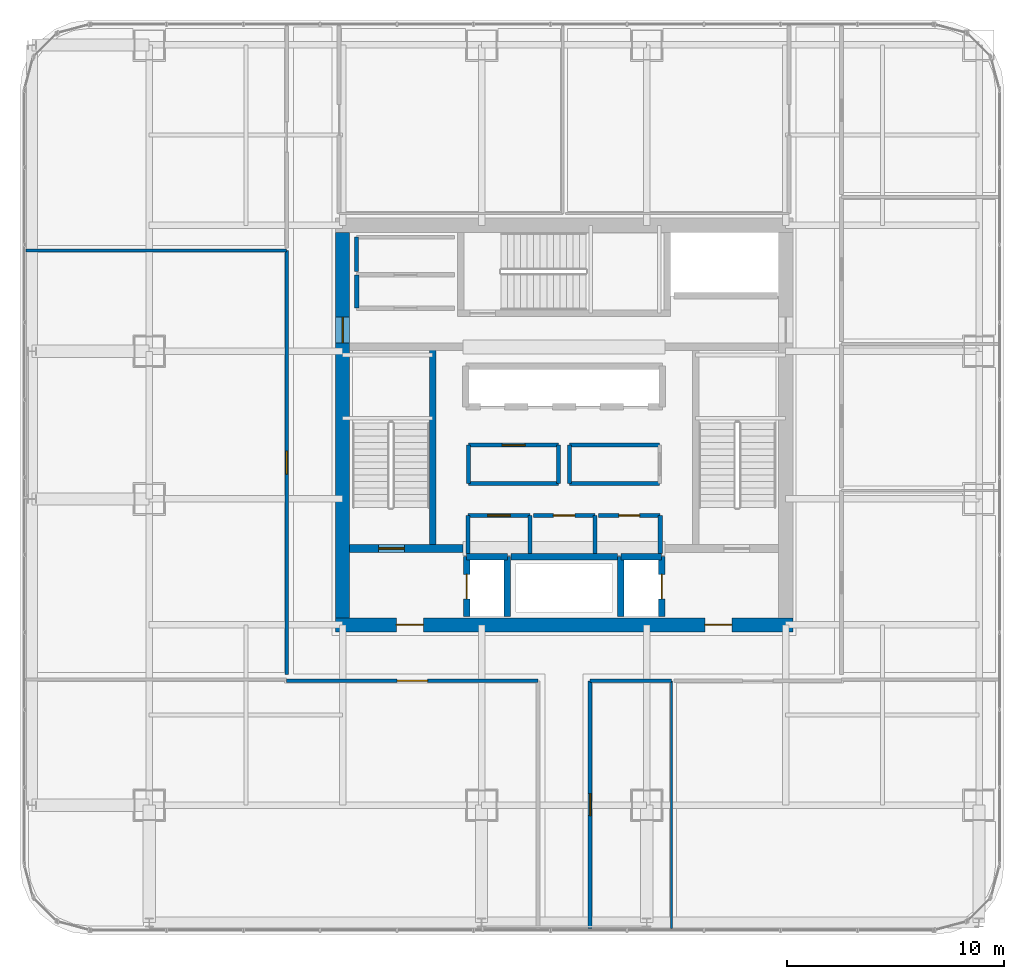
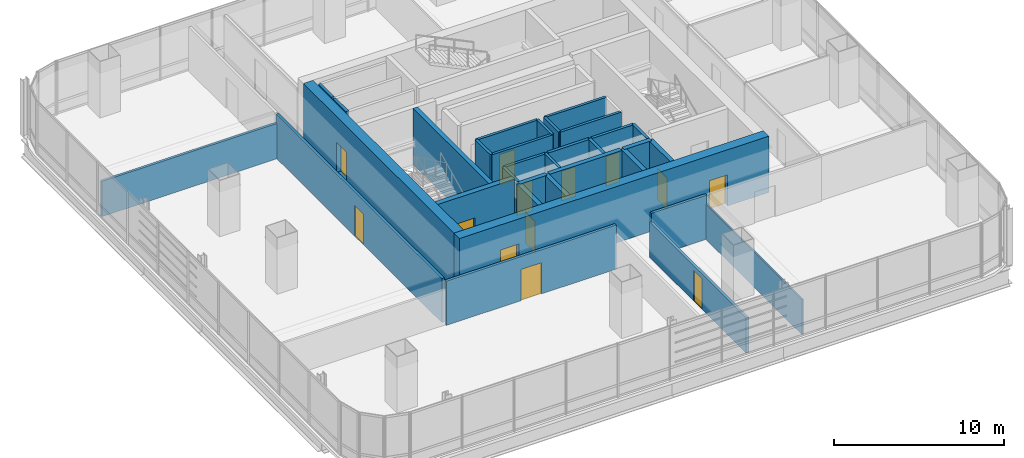
# One storey, part 29 of 37: 33 walls, 13 doors, 13 openings.
"""IFC4 building model written with IfcOpenShell, lengths in metres."""

from ifc_helpers import new_model, si_unit, direction, frame, frame_2d, origin, place, context, subcontext, project, spatial, rectangle, extrude, material, layer, layer_set, type_object, element, fill, save


model = new_model("IFC4")

# Units and contexts
model_context = context("Model", 3, precision=1e-05, world=origin(), true_north=direction((0.0, 1.0)))
body_context = subcontext(model_context, "Body", "Model", "MODEL_VIEW")
ifc_project = project(units=[si_unit("LENGTHUNIT", "METRE"), si_unit("AREAUNIT", "SQUARE_METRE"), si_unit("VOLUMEUNIT", "CUBIC_METRE"), si_unit("PLANEANGLEUNIT", "RADIAN"), si_unit("MASSUNIT", "GRAM", prefix="KILO")], contexts=[model_context])

# Site, building, storey
site_placement = place(None, origin())
site = spatial("IfcSite", under=ifc_project, at=site_placement, CompositionType="ELEMENT")
building_placement = place(site_placement, origin())
building = spatial("IfcBuilding", under=site, at=building_placement, Name="Punatoya Terracotta Tower", CompositionType="ELEMENT")
storey_placement = place(building_placement, frame((0.0, 0.0, 192.449951171875)))
storey = spatial("IfcBuildingStorey", under=building, at=storey_placement, Name="L45", CompositionType="ELEMENT", Elevation=192.449951171875)

# Wall, openings, doors
ifc_material_1 = material(Name="Concrete C60/75", Category="concrete")
ifc_layer_1 = layer(ifc_material_1, 0.64990234375)
ifc_layer_set_1 = layer_set([ifc_layer_1], Name="Concrete C60/75")
wall_type_1 = type_object("IfcWallType", Name="WL-COR-650", PredefinedType="SHEAR", material=ifc_layer_set_1)
wall_1_placement = place(storey_placement, frame((10.52490234375, -9.199951171875, 0.0), z_axis=(0.0, 0.0, 1.0), x_axis=(-1.0, 0.0, 0.0)))
wall_1 = element("IfcWall", 1, at=wall_1_placement, inside=storey, type_object=wall_type_1, Name="L45 Core Shear Wall S", PredefinedType="SHEAR", context=body_context, shape_type="SweptSolid", body=[
    extrude(rectangle(XDim=21.0498046875, YDim=0.64990234375, at=frame_2d((10.52490234375, 0.0))), origin(), (0.0, 0.0, 1.0), 4.050048828125),
])
opening_1_placement = place(wall_1_placement, frame((2.800048828125, 0.0, 0.0)))
opening_1 = element("IfcOpeningElement", 2, at=opening_1_placement, cuts=wall_1, Name="Opening FD-L1", PredefinedType="OPENING", context=body_context, shape_type="SweptSolid", body=[
    extrude(rectangle(XDim=1.25, YDim=2.25, at=frame_2d((0.625, 1.125))), frame((0.0, 0.3349609375, 0.0), z_axis=(0.0, -1.0, 0.0), x_axis=(1.0, 0.0, 0.0)), (0.0, 0.0, 1.0), 0.669921875),
])
opening_2_placement = place(wall_1_placement, frame((17.0, 0.0, 0.0)))
opening_2 = element("IfcOpeningElement", 3, at=opening_2_placement, cuts=wall_1, Name="Opening FD-L1", PredefinedType="OPENING", context=body_context, shape_type="SweptSolid", body=[
    extrude(rectangle(XDim=1.25, YDim=2.25, at=frame_2d((0.625, 1.125))), frame((0.0, 0.3349609375, 0.0), z_axis=(0.0, -1.0, 0.0), x_axis=(1.0, 0.0, 0.0)), (0.0, 0.0, 1.0), 0.669921875),
])
ifc_material_2 = material(Name="Galvanised Steel Smokeproof Fire Door", Category="steel")
door_type_1 = type_object("IfcDoorType", Name="DR-FFL-1250", OperationType="NOTDEFINED", PredefinedType="DOOR", material=ifc_material_2)
door_1_placement = place(opening_1_placement, origin())
door_1 = element("IfcDoor", 4, at=door_1_placement, inside=storey, type_object=door_type_1, Name="L45 East Firefighting Lobby Corridor Fire Door", OperationType="SINGLE_SWING_LEFT", OverallHeight=2.25, OverallWidth=1.25, PredefinedType="DOOR", context=body_context, shape_type="SweptSolid", body=[
    extrude(rectangle(XDim=1.25, YDim=2.25, at=frame_2d((0.625, 1.125))), frame((0.0, 0.02490234375, 0.0), z_axis=(0.0, -1.0, 0.0), x_axis=(1.0, 0.0, 0.0)), (0.0, 0.0, 1.0), 0.050048828125),
])
fill(opening_1, door_1)
door_2_placement = place(opening_2_placement, origin())
door_2 = element("IfcDoor", 5, at=door_2_placement, inside=storey, type_object=door_type_1, Name="L45 West Firefighting Lobby Corridor Fire Door", OperationType="SINGLE_SWING_RIGHT", OverallHeight=2.25, OverallWidth=1.25, PredefinedType="DOOR", context=body_context, shape_type="SweptSolid", body=[
    extrude(rectangle(XDim=1.25, YDim=2.25, at=frame_2d((0.625, 1.125))), frame((0.0, 0.02490234375, 0.0), z_axis=(0.0, -1.0, 0.0), x_axis=(1.0, 0.0, 0.0)), (0.0, 0.0, 1.0), 0.050048828125),
])
fill(opening_2, door_2)

# Wall, opening, door
wall_2_placement = place(storey_placement, frame((-10.199951171875, -8.875, 0.0), z_axis=(0.0, 0.0, 1.0), x_axis=(0.0, 1.0, 0.0)))
wall_2 = element("IfcWall", 6, at=wall_2_placement, inside=storey, type_object=wall_type_1, Name="L45 Core Shear Wall W", PredefinedType="SHEAR", context=body_context, shape_type="SweptSolid", body=[
    extrude(rectangle(XDim=17.75, YDim=0.64990234375, at=frame_2d((8.875, 0.0))), origin(), (0.0, 0.0, 1.0), 4.050048828125),
])
opening_3_placement = place(wall_2_placement, frame((12.6650390625, 0.0, 0.0)))
opening_3 = element("IfcOpeningElement", 7, at=opening_3_placement, cuts=wall_2, Name="Opening SD-01", PredefinedType="OPENING", context=body_context, shape_type="SweptSolid", body=[
    extrude(rectangle(XDim=1.179931640625, YDim=2.199951171875, at=frame_2d((0.58984375, 1.10009765625))), frame((0.0, 0.3349609375, 0.0), z_axis=(0.0, -1.0, 0.0), x_axis=(1.0, 0.0, 0.0)), (0.0, 0.0, 1.0), 0.669921875),
])
ifc_material_3 = material(Name="Galvanised Steel Pressurized Stair Fire Door", Category="steel")
door_type_2 = type_object("IfcDoorType", Name="DR-STR-1180", OperationType="NOTDEFINED", PredefinedType="DOOR", material=ifc_material_3)
door_3_placement = place(opening_3_placement, origin())
door_3 = element("IfcDoor", 8, at=door_3_placement, inside=storey, type_object=door_type_2, Name="L45 Central Lift Lobby West Fire Door", OperationType="SINGLE_SWING_LEFT", OverallHeight=2.199951171875, OverallWidth=1.179931640625, PredefinedType="DOOR", context=body_context, shape_type="SweptSolid", body=[
    extrude(rectangle(XDim=1.179931640625, YDim=2.199951171875, at=frame_2d((0.58984375, 1.10009765625))), frame((0.0, 0.02490234375, 0.0), z_axis=(0.0, -1.0, 0.0), x_axis=(1.0, 0.0, 0.0)), (0.0, 0.0, 1.0), 0.050048828125),
])
fill(opening_3, door_3)

# Wall
ifc_material_4 = material(Name="Gypsum Fireboard + Steel Stud", Category="steel")
ifc_layer_2 = layer(ifc_material_4, 0.179931640625)
ifc_layer_set_2 = layer_set([ifc_layer_2], Name="Gypsum Fireboard + Steel Stud")
wall_type_2 = type_object("IfcWallType", Name="WL-CORR-180", PredefinedType="PARTITIONING", material=ifc_layer_set_2)
wall_3_placement = place(storey_placement, frame((-1.580078125, -5.89990234375, 0.0), z_axis=(0.0, 0.0, 1.0), x_axis=(0.0, 1.0, 0.0)))
element("IfcWall", 9, at=wall_3_placement, inside=storey, type_object=wall_type_2, Name="L45 Core Quiet Wellness Room Partition 01", PredefinedType="PARTITIONING", context=body_context, shape_type="SweptSolid", body=[
    extrude(rectangle(XDim=1.739990234375, YDim=0.179931640625, at=frame_2d((0.8701171875, 0.0))), origin(), (0.0, 0.0, 1.0), 3.830078125),
])

# Wall, opening, door
wall_4_placement = place(storey_placement, frame((-1.580078125, -4.159912109375, 0.0), z_axis=(0.0, 0.0, 1.0), x_axis=(-1.0, 0.0, 0.0)))
wall_4 = element("IfcWall", 10, at=wall_4_placement, inside=storey, type_object=wall_type_2, Name="L45 Core Quiet Wellness Room Partition 02", PredefinedType="PARTITIONING", context=body_context, shape_type="SweptSolid", body=[
    extrude(rectangle(XDim=2.83984375, YDim=0.179931640625, at=frame_2d((1.419921875, 0.0))), origin(), (0.0, 0.0, 1.0), 3.830078125),
])
opening_4_placement = place(wall_4_placement, frame((0.89501953125, 0.0, 0.0)))
opening_4 = element("IfcOpeningElement", 11, at=opening_4_placement, cuts=wall_4, Name="Opening OD-01", PredefinedType="OPENING", context=body_context, shape_type="SweptSolid", body=[
    extrude(rectangle(XDim=1.050048828125, YDim=2.199951171875, at=frame_2d((0.52490234375, 1.10009765625))), frame((0.0, 0.099853515625, 0.0), z_axis=(0.0, -1.0, 0.0), x_axis=(1.0, 0.0, 0.0)), (0.0, 0.0, 1.0), 0.199951171875),
])
ifc_material_5 = material(Name="Bengal Teak Solid-Core Leaf")
door_type_3 = type_object("IfcDoorType", Name="DR-OFF-1050", OperationType="NOTDEFINED", PredefinedType="DOOR", material=ifc_material_5)
door_4_placement = place(opening_4_placement, origin())
door_4 = element("IfcDoor", 12, at=door_4_placement, inside=storey, type_object=door_type_3, Name="L45 Quiet Wellness Room Door", OperationType="SINGLE_SWING_LEFT", OverallHeight=2.199951171875, OverallWidth=1.050048828125, PredefinedType="DOOR", context=body_context, shape_type="SweptSolid", body=[
    extrude(rectangle(XDim=1.050048828125, YDim=2.199951171875, at=frame_2d((0.52490234375, 1.10009765625))), frame((0.0, 0.02490234375, 0.0), z_axis=(0.0, -1.0, 0.0), x_axis=(1.0, 0.0, 0.0)), (0.0, 0.0, 1.0), 0.050048828125),
])
fill(opening_4, door_4)

# Walls
wall_5_placement = place(storey_placement, frame((-4.419921875, -4.159912109375, 0.0), z_axis=(0.0, 0.0, 1.0), x_axis=(0.0, -1.0, 0.0)))
element("IfcWall", 13, at=wall_5_placement, inside=storey, type_object=wall_type_2, Name="L45 Core Quiet Wellness Room Partition 03", PredefinedType="PARTITIONING", context=body_context, shape_type="SweptSolid", body=[
    extrude(rectangle(XDim=1.739990234375, YDim=0.179931640625, at=frame_2d((0.8701171875, 0.0))), origin(), (0.0, 0.0, 1.0), 3.830078125),
])
wall_6_placement = place(storey_placement, frame((-0.25, -2.679931640625, 0.0), z_axis=(0.0, 0.0, 1.0), x_axis=(0.0, 1.0, 0.0)))
element("IfcWall", 14, at=wall_6_placement, inside=storey, type_object=wall_type_2, Name="L45 West Core Focus Pod Partition 08", PredefinedType="PARTITIONING", context=body_context, shape_type="SweptSolid", body=[
    extrude(rectangle(XDim=1.760009765625, YDim=0.179931640625, at=frame_2d((0.8798828125, 0.0))), origin(), (0.0, 0.0, 1.0), 3.830078125),
])

# Wall, opening, door
wall_7_placement = place(storey_placement, frame((-0.25, -0.919921875, 0.0), z_axis=(0.0, 0.0, 1.0), x_axis=(-1.0, 0.0, 0.0)))
wall_7 = element("IfcWall", 15, at=wall_7_placement, inside=storey, type_object=wall_type_2, Name="L45 West Core Focus Pod Partition 09", PredefinedType="PARTITIONING", context=body_context, shape_type="SweptSolid", body=[
    extrude(rectangle(XDim=4.14990234375, YDim=0.179931640625, at=frame_2d((2.074951171875, 0.0))), origin(), (0.0, 0.0, 1.0), 3.830078125),
])
opening_5_placement = place(wall_7_placement, frame((1.550048828125, 0.0, 0.0)))
opening_5 = element("IfcOpeningElement", 16, at=opening_5_placement, cuts=wall_7, Name="Opening OD-01", PredefinedType="OPENING", context=body_context, shape_type="SweptSolid", body=[
    extrude(rectangle(XDim=1.050048828125, YDim=2.199951171875, at=frame_2d((0.52490234375, 1.10009765625))), frame((0.0, 0.099853515625, 0.0), z_axis=(0.0, -1.0, 0.0), x_axis=(1.0, 0.0, 0.0)), (0.0, 0.0, 1.0), 0.199951171875),
])
door_5_placement = place(opening_5_placement, origin())
door_5 = element("IfcDoor", 17, at=door_5_placement, inside=storey, type_object=door_type_3, Name="L45 West Focus Pod Door", OperationType="SINGLE_SWING_RIGHT", OverallHeight=2.199951171875, OverallWidth=1.050048828125, PredefinedType="DOOR", context=body_context, shape_type="SweptSolid", body=[
    extrude(rectangle(XDim=1.050048828125, YDim=2.199951171875, at=frame_2d((0.52490234375, 1.10009765625))), frame((0.0, 0.02490234375, 0.0), z_axis=(0.0, -1.0, 0.0), x_axis=(1.0, 0.0, 0.0)), (0.0, 0.0, 1.0), 0.050048828125),
])
fill(opening_5, door_5)

# Walls
wall_8_placement = place(storey_placement, frame((-4.39990234375, -0.919921875, 0.0), z_axis=(0.0, 0.0, 1.0), x_axis=(0.0, -1.0, 0.0)))
element("IfcWall", 18, at=wall_8_placement, inside=storey, type_object=wall_type_2, Name="L45 West Core Focus Pod Partition 10", PredefinedType="PARTITIONING", context=body_context, shape_type="SweptSolid", body=[
    extrude(rectangle(XDim=1.760009765625, YDim=0.179931640625, at=frame_2d((0.8798828125, 0.0))), origin(), (0.0, 0.0, 1.0), 3.830078125),
])
for number, where, z_axis, x_axis, name in (
    (19, (-4.39990234375, -2.679931640625, 0.0), (0.0, 0.0, 1.0), (1.0, 0.0, 0.0), "L45 West Core Focus Pod Partition 11"),
    (20, (4.39990234375, -0.919921875, 0.0), (0.0, 0.0, 1.0), (-1.0, 0.0, 0.0), "L45 East Core Wellness Room Partition 13"),
):
    element("IfcWall", number, at=place(storey_placement, frame(where, z_axis=z_axis, x_axis=x_axis)), inside=storey, type_object=wall_type_2, Name=name, PredefinedType="PARTITIONING", context=body_context, shape_type="SweptSolid", body=[
        extrude(rectangle(XDim=4.14990234375, YDim=0.179931640625, at=frame_2d((2.074951171875, 0.0))), origin(), (0.0, 0.0, 1.0), 3.830078125),
    ])
wall_9_placement = place(storey_placement, frame((0.25, -0.919921875, 0.0), z_axis=(0.0, 0.0, 1.0), x_axis=(0.0, -1.0, 0.0)))
element("IfcWall", 21, at=wall_9_placement, inside=storey, type_object=wall_type_2, Name="L45 East Core Wellness Room Partition 14", PredefinedType="PARTITIONING", context=body_context, shape_type="SweptSolid", body=[
    extrude(rectangle(XDim=1.760009765625, YDim=0.179931640625, at=frame_2d((0.8798828125, 0.0))), origin(), (0.0, 0.0, 1.0), 3.830078125),
])
wall_10_placement = place(storey_placement, frame((0.25, -2.679931640625, 0.0), z_axis=(0.0, 0.0, 1.0), x_axis=(1.0, 0.0, 0.0)))
element("IfcWall", 22, at=wall_10_placement, inside=storey, type_object=wall_type_2, Name="L45 East Core Wellness Room Partition 15", PredefinedType="PARTITIONING", context=body_context, shape_type="SweptSolid", body=[
    extrude(rectangle(XDim=4.14990234375, YDim=0.179931640625, at=frame_2d((2.074951171875, 0.0))), origin(), (0.0, 0.0, 1.0), 3.830078125),
])
wall_11_placement = place(storey_placement, frame((-9.550048828125, 8.64990234375, 0.0), z_axis=(0.0, 0.0, 1.0), x_axis=(0.0, -1.0, 0.0)))
element("IfcWall", 23, at=wall_11_placement, inside=storey, type_object=wall_type_2, Name="L45 West Core Copy Room Partition 20", PredefinedType="PARTITIONING", context=body_context, shape_type="SweptSolid", body=[
    extrude(rectangle(XDim=1.56982421875, YDim=0.179931640625, at=frame_2d((0.784912109375, 0.0))), origin(), (0.0, 0.0, 1.0), 3.830078125),
])

# Wall, opening, door
wall_12_placement = place(storey_placement, frame((1.199951171875, -23.169921875, 0.0), z_axis=(0.0, 0.0, 1.0), x_axis=(0.0, 1.0, 0.0)))
wall_12 = element("IfcWall", 24, at=wall_12_placement, inside=storey, type_object=wall_type_2, Name="L45 Open-Plan Plenary Seminar Room Partition 21", PredefinedType="PARTITIONING", context=body_context, shape_type="SweptSolid", body=[
    extrude(rectangle(XDim=11.39990234375, YDim=0.179931640625, at=frame_2d((5.699951171875, 0.0))), origin(), (0.0, 0.0, 1.0), 2.5439453125),
])
opening_6_placement = place(wall_12_placement, frame((5.18994140625, 0.0, 0.0)))
opening_6 = element("IfcOpeningElement", 25, at=opening_6_placement, cuts=wall_12, Name="Opening MD-01", PredefinedType="OPENING", context=body_context, shape_type="SweptSolid", body=[
    extrude(rectangle(XDim=1.02001953125, YDim=2.199951171875, at=frame_2d((0.510009765625, 1.10009765625))), frame((0.0, 0.099853515625, 0.0), z_axis=(0.0, -1.0, 0.0), x_axis=(1.0, 0.0, 0.0)), (0.0, 0.0, 1.0), 0.199951171875),
])
ifc_material_6 = material(Name="Aluminium + Acoustic Glass Leaf", Category="aluminium")
door_type_4 = type_object("IfcDoorType", Name="DR-MTG-1020", OperationType="NOTDEFINED", PredefinedType="DOOR", material=ifc_material_6)
door_6_placement = place(opening_6_placement, origin())
door_6 = element("IfcDoor", 26, at=door_6_placement, inside=storey, type_object=door_type_4, Name="L45 Open-Plan Plenary Seminar Room Door", OperationType="SINGLE_SWING_RIGHT", OverallHeight=2.199951171875, OverallWidth=1.02001953125, PredefinedType="DOOR", context=body_context, shape_type="SweptSolid", body=[
    extrude(rectangle(XDim=1.02001953125, YDim=2.199951171875, at=frame_2d((0.510009765625, 1.10009765625))), frame((0.0, 0.02490234375, 0.0), z_axis=(0.0, -1.0, 0.0), x_axis=(1.0, 0.0, 0.0)), (0.0, 0.0, 1.0), 0.050048828125),
])
fill(opening_6, door_6)

# Wall
wall_13_placement = place(storey_placement, frame((1.199951171875, -11.77001953125, 0.0), z_axis=(0.0, 0.0, 1.0), x_axis=(1.0, 0.0, 0.0)))
element("IfcWall", 27, at=wall_13_placement, inside=storey, type_object=wall_type_2, Name="L45 Open-Plan Plenary Seminar Room Partition 22", PredefinedType="PARTITIONING", context=body_context, shape_type="SweptSolid", body=[
    extrude(rectangle(XDim=3.748046875, YDim=0.179931640625, at=frame_2d((1.8740234375, 0.0))), origin(), (0.0, 0.0, 1.0), 3.174072265625),
])

# Wall, opening, door
wall_14_placement = place(storey_placement, frame((-12.77001953125, -11.77001953125, 0.0), z_axis=(0.0, 0.0, 1.0), x_axis=(1.0, 0.0, 0.0)))
wall_14 = element("IfcWall", 28, at=wall_14_placement, inside=storey, type_object=wall_type_2, Name="L45 Client Strategy Boardroom Partition 24", PredefinedType="PARTITIONING", context=body_context, shape_type="SweptSolid", body=[
    extrude(rectangle(XDim=11.570068359375, YDim=0.179931640625, at=frame_2d((5.78515625, 0.0))), origin(), (0.0, 0.0, 1.0), 3.174072265625),
])
opening_7_placement = place(wall_14_placement, frame((5.0849609375, 0.0, 0.0)))
opening_7 = element("IfcOpeningElement", 29, at=opening_7_placement, cuts=wall_14, Name="Opening BD-01", PredefinedType="OPENING", context=body_context, shape_type="SweptSolid", body=[
    extrude(rectangle(XDim=1.39990234375, YDim=2.25, at=frame_2d((0.699951171875, 1.125))), frame((0.0, 0.099853515625, 0.0), z_axis=(0.0, -1.0, 0.0), x_axis=(1.0, 0.0, 0.0)), (0.0, 0.0, 1.0), 0.199951171875),
])
ifc_material_7 = material(Name="Bengal Teak Acoustic Leaf")
door_type_5 = type_object("IfcDoorType", Name="DR-BRD-1400", OperationType="NOTDEFINED", PredefinedType="DOOR", material=ifc_material_7)
door_7_placement = place(opening_7_placement, origin())
door_7 = element("IfcDoor", 30, at=door_7_placement, inside=storey, type_object=door_type_5, Name="L45 Client Strategy Boardroom Door", OperationType="SINGLE_SWING_LEFT", OverallHeight=2.25, OverallWidth=1.39990234375, PredefinedType="DOOR", context=body_context, shape_type="SweptSolid", body=[
    extrude(rectangle(XDim=1.39990234375, YDim=2.25, at=frame_2d((0.699951171875, 1.125))), frame((0.0, 0.02490234375, 0.0), z_axis=(0.0, -1.0, 0.0), x_axis=(1.0, 0.0, 0.0)), (0.0, 0.0, 1.0), 0.050048828125),
])
fill(opening_7, door_7)

wall_15_placement = place(storey_placement, frame((-12.77001953125, 8.0380859375, 0.0), z_axis=(0.0, 0.0, 1.0), x_axis=(0.0, -1.0, 0.0)))
wall_15 = element("IfcWall", 31, at=wall_15_placement, inside=storey, type_object=wall_type_2, Name="L45 Breakout Tea Pantry Partition 32", PredefinedType="PARTITIONING", context=body_context, shape_type="SweptSolid", body=[
    extrude(rectangle(XDim=19.528076171875, YDim=0.179931640625, at=frame_2d((9.76416015625, 0.0))), origin(), (0.0, 0.0, 1.0), 3.174072265625),
])
opening_8_placement = place(wall_15_placement, frame((9.239013671875, 0.0, 0.0)))
opening_8 = element("IfcOpeningElement", 32, at=opening_8_placement, cuts=wall_15, Name="Opening OD-01", PredefinedType="OPENING", context=body_context, shape_type="SweptSolid", body=[
    extrude(rectangle(XDim=1.050048828125, YDim=2.199951171875, at=frame_2d((0.52490234375, 1.10009765625))), frame((0.0, 0.099853515625, 0.0), z_axis=(0.0, -1.0, 0.0), x_axis=(1.0, 0.0, 0.0)), (0.0, 0.0, 1.0), 0.199951171875),
])
door_8_placement = place(opening_8_placement, origin())
door_8 = element("IfcDoor", 33, at=door_8_placement, inside=storey, type_object=door_type_3, Name="L45 Breakout Tea Pantry Door", OperationType="SINGLE_SWING_RIGHT", OverallHeight=2.199951171875, OverallWidth=1.050048828125, PredefinedType="DOOR", context=body_context, shape_type="SweptSolid", body=[
    extrude(rectangle(XDim=1.050048828125, YDim=2.199951171875, at=frame_2d((0.52490234375, 1.10009765625))), frame((0.0, 0.02490234375, 0.0), z_axis=(0.0, -1.0, 0.0), x_axis=(1.0, 0.0, 0.0)), (0.0, 0.0, 1.0), 0.050048828125),
])
fill(opening_8, door_8)

# Walls
ifc_material_8 = material(Name="Aluminium Framed Acoustic Glass Partition", Category="aluminium")
ifc_layer_3 = layer(ifc_material_8, 0.10009765625)
ifc_layer_set_3 = layer_set([ifc_layer_3], Name="Aluminium Framed Acoustic Glass Partition")
wall_type_3 = type_object("IfcWallType", Name="WL-GLZ-100", PredefinedType="PARTITIONING", material=ifc_layer_set_3)
wall_16_placement = place(storey_placement, frame((4.947998046875, -11.77001953125, 0.0), z_axis=(0.0, 0.0, 1.0), x_axis=(0.0, -1.0, 0.0)))
element("IfcWall", 34, at=wall_16_placement, inside=storey, type_object=wall_type_3, Name="L45 Open-Plan Plenary Seminar Room Partition 23", PredefinedType="PARTITIONING", context=body_context, shape_type="SweptSolid", body=[
    extrude(rectangle(XDim=11.39990234375, YDim=0.10009765625, at=frame_2d((5.699951171875, 0.0))), origin(), (0.0, 0.0, 1.0), 2.5439453125),
])
ifc_material_9 = material(Name="Concrete C40/50", Category="concrete")
ifc_layer_4 = layer(ifc_material_9, 0.199951171875)
ifc_layer_set_4 = layer_set([ifc_layer_4], Name="Concrete C40/50")
wall_type_4 = type_object("IfcWallType", Name="WL-INT-200", PredefinedType="SOLIDWALL", material=ifc_layer_set_4)
wall_17_placement = place(storey_placement, frame((1.419921875, -5.89990234375, 0.0), z_axis=(0.0, 0.0, 1.0), x_axis=(0.0, 1.0, 0.0)))
element("IfcWall", 35, at=wall_17_placement, inside=storey, type_object=wall_type_4, Name="L45 Accessible Universal Washroom Partition 04", PredefinedType="SOLIDWALL", context=body_context, shape_type="SweptSolid", body=[
    extrude(rectangle(XDim=1.739990234375, YDim=0.199951171875, at=frame_2d((0.8701171875, 0.0))), origin(), (0.0, 0.0, 1.0), 3.830078125),
])

# Wall, opening, door
wall_18_placement = place(storey_placement, frame((1.419921875, -4.159912109375, 0.0), z_axis=(0.0, 0.0, 1.0), x_axis=(-1.0, 0.0, 0.0)))
wall_18 = element("IfcWall", 36, at=wall_18_placement, inside=storey, type_object=wall_type_4, Name="L45 Accessible Universal Washroom Partition 05", PredefinedType="SOLIDWALL", context=body_context, shape_type="SweptSolid", body=[
    extrude(rectangle(XDim=2.83984375, YDim=0.199951171875, at=frame_2d((1.419921875, 0.0))), origin(), (0.0, 0.0, 1.0), 3.830078125),
])
opening_9_placement = place(wall_18_placement, frame((0.919921875, 0.0, 0.0)))
opening_9 = element("IfcOpeningElement", 37, at=opening_9_placement, cuts=wall_18, Name="Opening AWD-1", PredefinedType="OPENING", context=body_context, shape_type="SweptSolid", body=[
    extrude(rectangle(XDim=1.0, YDim=2.14990234375, at=frame_2d((0.5, 1.074951171875))), frame((0.0, 0.10986328125, 0.0), z_axis=(0.0, -1.0, 0.0), x_axis=(1.0, 0.0, 0.0)), (0.0, 0.0, 1.0), 0.219970703125),
])
ifc_material_10 = material(Name="Bengal Teak Accessible WC Leaf")
door_type_6 = type_object("IfcDoorType", Name="DR-ACC-1000", OperationType="NOTDEFINED", PredefinedType="DOOR", material=ifc_material_10)
door_9_placement = place(opening_9_placement, origin())
door_9 = element("IfcDoor", 38, at=door_9_placement, inside=storey, type_object=door_type_6, Name="L45 Accessible Universal Washroom Door", OperationType="SINGLE_SWING_RIGHT", OverallHeight=2.14990234375, OverallWidth=1.0, PredefinedType="DOOR", context=body_context, shape_type="SweptSolid", body=[
    extrude(rectangle(XDim=1.0, YDim=2.14990234375, at=frame_2d((0.5, 1.074951171875))), frame((0.0, 0.02490234375, 0.0), z_axis=(0.0, -1.0, 0.0), x_axis=(1.0, 0.0, 0.0)), (0.0, 0.0, 1.0), 0.050048828125),
])
fill(opening_9, door_9)

# Wall
wall_19_placement = place(storey_placement, frame((4.419921875, -5.89990234375, 0.0), z_axis=(0.0, 0.0, 1.0), x_axis=(0.0, 1.0, 0.0)))
element("IfcWall", 39, at=wall_19_placement, inside=storey, type_object=wall_type_4, Name="L45 All-Gender Washroom Partition 06", PredefinedType="SOLIDWALL", context=body_context, shape_type="SweptSolid", body=[
    extrude(rectangle(XDim=1.739990234375, YDim=0.199951171875, at=frame_2d((0.8701171875, 0.0))), origin(), (0.0, 0.0, 1.0), 3.830078125),
])

# Wall, opening, door
wall_20_placement = place(storey_placement, frame((4.419921875, -4.159912109375, 0.0), z_axis=(0.0, 0.0, 1.0), x_axis=(-1.0, 0.0, 0.0)))
wall_20 = element("IfcWall", 40, at=wall_20_placement, inside=storey, type_object=wall_type_4, Name="L45 All-Gender Washroom Partition 07", PredefinedType="SOLIDWALL", context=body_context, shape_type="SweptSolid", body=[
    extrude(rectangle(XDim=2.83984375, YDim=0.199951171875, at=frame_2d((1.419921875, 0.0))), origin(), (0.0, 0.0, 1.0), 3.830078125),
])
opening_10_placement = place(wall_20_placement, frame((0.945068359375, 0.0, 0.0)))
opening_10 = element("IfcOpeningElement", 41, at=opening_10_placement, cuts=wall_20, Name="Opening WD-01", PredefinedType="OPENING", context=body_context, shape_type="SweptSolid", body=[
    extrude(rectangle(XDim=0.949951171875, YDim=2.14990234375, at=frame_2d((0.47509765625, 1.074951171875))), frame((0.0, 0.10986328125, 0.0), z_axis=(0.0, -1.0, 0.0), x_axis=(1.0, 0.0, 0.0)), (0.0, 0.0, 1.0), 0.219970703125),
])
ifc_material_11 = material(Name="Moisture-Resistant Laminate Timber Leaf", Category="wood")
door_type_7 = type_object("IfcDoorType", Name="DR-WC-950", OperationType="NOTDEFINED", PredefinedType="DOOR", material=ifc_material_11)
door_10_placement = place(opening_10_placement, origin())
door_10 = element("IfcDoor", 42, at=door_10_placement, inside=storey, type_object=door_type_7, Name="L45 All-Gender Washroom Door", OperationType="SINGLE_SWING_LEFT", OverallHeight=2.14990234375, OverallWidth=0.949951171875, PredefinedType="DOOR", context=body_context, shape_type="SweptSolid", body=[
    extrude(rectangle(XDim=0.949951171875, YDim=2.14990234375, at=frame_2d((0.47509765625, 1.074951171875))), frame((0.0, 0.02490234375, 0.0), z_axis=(0.0, -1.0, 0.0), x_axis=(1.0, 0.0, 0.0)), (0.0, 0.0, 1.0), 0.050048828125),
])
fill(opening_10, door_10)

# Walls
wall_21_placement = place(storey_placement, frame((-9.550048828125, 6.919921875, 0.0), z_axis=(0.0, 0.0, 1.0), x_axis=(0.0, -1.0, 0.0)))
element("IfcWall", 43, at=wall_21_placement, inside=storey, type_object=wall_type_4, Name="L45 West Core Tea Pantry Partition 17", PredefinedType="SOLIDWALL", context=body_context, shape_type="SweptSolid", body=[
    extrude(rectangle(XDim=1.5400390625, YDim=0.199951171875, at=frame_2d((0.77001953125, 0.0))), origin(), (0.0, 0.0, 1.0), 3.830078125),
])
ifc_layer_5 = layer(ifc_material_9, 0.300048828125)
ifc_layer_set_5 = layer_set([ifc_layer_5], Name="Concrete C40/50")
wall_type_5 = type_object("IfcWallType", Name="WL-SHF-300", PredefinedType="SOLIDWALL", material=ifc_layer_set_5)
wall_22_placement = place(storey_placement, frame((-6.050048828125, -5.5, 0.0), z_axis=(0.0, 0.0, 1.0), x_axis=(0.0, 1.0, 0.0)))
element("IfcWall", 44, at=wall_22_placement, inside=storey, type_object=wall_type_5, Name="L45 Structural Stair Shaft Wall SW-ST1-E", PredefinedType="SOLIDWALL", context=body_context, shape_type="SweptSolid", body=[
    extrude(rectangle(XDim=8.949951171875, YDim=0.300048828125, at=frame_2d((4.47509765625, 0.0))), origin(), (0.0, 0.0, 1.0), 4.050048828125),
])

# Wall, opening, door
wall_23_placement = place(storey_placement, frame((-4.489990234375, -8.820068359375, 0.0), z_axis=(0.0, 0.0, 1.0), x_axis=(0.0, 1.0, 0.0)))
wall_23 = element("IfcWall", 45, at=wall_23_placement, inside=storey, type_object=wall_type_5, Name="L45 FFL-1 Front Hoistway Wall", PredefinedType="SOLIDWALL", context=body_context, shape_type="SweptSolid", body=[
    extrude(rectangle(XDim=2.77001953125, YDim=0.300048828125, at=frame_2d((1.385009765625, 0.0))), origin(), (0.0, 0.0, 1.0), 3.830078125),
])
opening_11_placement = place(wall_23_placement, frame((0.824951171875, 0.0, 0.0)))
opening_11 = element("IfcOpeningElement", 46, at=opening_11_placement, cuts=wall_23, Name="Opening LD-02", PredefinedType="OPENING", context=body_context, shape_type="SweptSolid", body=[
    extrude(rectangle(XDim=1.1201171875, YDim=2.25, at=frame_2d((0.56005859375, 1.125))), frame((0.0, 0.159912109375, 0.0), z_axis=(0.0, -1.0, 0.0), x_axis=(1.0, 0.0, 0.0)), (0.0, 0.0, 1.0), 0.320068359375),
])
ifc_material_12 = material(Name="Stainless Steel Lift Landing Door", Category="steel")
door_type_8 = type_object("IfcDoorType", Name="DR-LND-1120", OperationType="NOTDEFINED", PredefinedType="DOOR", material=ifc_material_12)
door_11_placement = place(opening_11_placement, origin())
door_11 = element("IfcDoor", 47, at=door_11_placement, inside=storey, type_object=door_type_8, Name="L45 Firefighting Lift FFL-1 Sliding Landing Door", OperationType="SLIDING_TO_LEFT", OverallHeight=2.25, OverallWidth=1.1201171875, PredefinedType="DOOR", context=body_context, shape_type="SweptSolid", body=[
    extrude(rectangle(XDim=1.1201171875, YDim=2.25, at=frame_2d((0.56005859375, 1.125))), frame((0.0, 0.02490234375, 0.0), z_axis=(0.0, -1.0, 0.0), x_axis=(1.0, 0.0, 0.0)), (0.0, 0.0, 1.0), 0.050048828125),
])
fill(opening_11, door_11)

# Walls
wall_24_placement = place(storey_placement, frame((-2.610107421875, -8.820068359375, 0.0), z_axis=(0.0, 0.0, 1.0), x_axis=(0.0, 1.0, 0.0)))
element("IfcWall", 48, at=wall_24_placement, inside=storey, type_object=wall_type_5, Name="L45 FFL-1 Rear Hoistway Wall", PredefinedType="SOLIDWALL", context=body_context, shape_type="SweptSolid", body=[
    extrude(rectangle(XDim=2.77001953125, YDim=0.300048828125, at=frame_2d((1.385009765625, 0.0))), origin(), (0.0, 0.0, 1.0), 3.830078125),
])
wall_25_placement = place(storey_placement, frame((-4.489990234375, -6.050048828125, 0.0), z_axis=(0.0, 0.0, 1.0), x_axis=(1.0, 0.0, 0.0)))
element("IfcWall", 49, at=wall_25_placement, inside=storey, type_object=wall_type_5, Name="L45 FFL-1 North Hoistway Wall", PredefinedType="SOLIDWALL", context=body_context, shape_type="SweptSolid", body=[
    extrude(rectangle(XDim=1.8798828125, YDim=0.300048828125, at=frame_2d((0.93994140625, 0.0))), origin(), (0.0, 0.0, 1.0), 3.830078125),
])

# Wall, opening, door
wall_26_placement = place(storey_placement, frame((4.489990234375, -8.820068359375, 0.0), z_axis=(0.0, 0.0, 1.0), x_axis=(0.0, 1.0, 0.0)))
wall_26 = element("IfcWall", 50, at=wall_26_placement, inside=storey, type_object=wall_type_5, Name="L45 FFL-2 Front Hoistway Wall", PredefinedType="SOLIDWALL", context=body_context, shape_type="SweptSolid", body=[
    extrude(rectangle(XDim=2.77001953125, YDim=0.300048828125, at=frame_2d((1.385009765625, 0.0))), origin(), (0.0, 0.0, 1.0), 3.830078125),
])
opening_12_placement = place(wall_26_placement, frame((0.824951171875, 0.0, 0.0)))
opening_12 = element("IfcOpeningElement", 51, at=opening_12_placement, cuts=wall_26, Name="Opening LD-02", PredefinedType="OPENING", context=body_context, shape_type="SweptSolid", body=[
    extrude(rectangle(XDim=1.1201171875, YDim=2.25, at=frame_2d((0.56005859375, 1.125))), frame((0.0, 0.159912109375, 0.0), z_axis=(0.0, -1.0, 0.0), x_axis=(1.0, 0.0, 0.0)), (0.0, 0.0, 1.0), 0.320068359375),
])
door_12_placement = place(opening_12_placement, origin())
door_12 = element("IfcDoor", 52, at=door_12_placement, inside=storey, type_object=door_type_8, Name="L45 Firefighting Lift FFL-2 Sliding Landing Door", OperationType="SLIDING_TO_RIGHT", OverallHeight=2.25, OverallWidth=1.1201171875, PredefinedType="DOOR", context=body_context, shape_type="SweptSolid", body=[
    extrude(rectangle(XDim=1.1201171875, YDim=2.25, at=frame_2d((0.56005859375, 1.125))), frame((0.0, 0.02490234375, 0.0), z_axis=(0.0, -1.0, 0.0), x_axis=(1.0, 0.0, 0.0)), (0.0, 0.0, 1.0), 0.050048828125),
])
fill(opening_12, door_12)

# Walls
wall_27_placement = place(storey_placement, frame((2.610107421875, -8.820068359375, 0.0), z_axis=(0.0, 0.0, 1.0), x_axis=(0.0, 1.0, 0.0)))
element("IfcWall", 53, at=wall_27_placement, inside=storey, type_object=wall_type_5, Name="L45 FFL-2 Rear Hoistway Wall", PredefinedType="SOLIDWALL", context=body_context, shape_type="SweptSolid", body=[
    extrude(rectangle(XDim=2.77001953125, YDim=0.300048828125, at=frame_2d((1.385009765625, 0.0))), origin(), (0.0, 0.0, 1.0), 3.830078125),
])
wall_28_placement = place(storey_placement, frame((2.610107421875, -6.050048828125, 0.0), z_axis=(0.0, 0.0, 1.0), x_axis=(1.0, 0.0, 0.0)))
element("IfcWall", 54, at=wall_28_placement, inside=storey, type_object=wall_type_5, Name="L45 FFL-2 North Hoistway Wall", PredefinedType="SOLIDWALL", context=body_context, shape_type="SweptSolid", body=[
    extrude(rectangle(XDim=1.8798828125, YDim=0.300048828125, at=frame_2d((0.93994140625, 0.0))), origin(), (0.0, 0.0, 1.0), 3.830078125),
])
wall_29_placement = place(storey_placement, frame((-2.449951171875, -6.050048828125, 0.0), z_axis=(0.0, 0.0, 1.0), x_axis=(1.0, 0.0, 0.0)))
element("IfcWall", 55, at=wall_29_placement, inside=storey, type_object=wall_type_5, Name="L45 Observation Shuttle Rear Hoistway Wall", PredefinedType="SOLIDWALL", context=body_context, shape_type="SweptSolid", body=[
    extrude(rectangle(XDim=4.89990234375, YDim=0.300048828125, at=frame_2d((2.449951171875, 0.0))), origin(), (0.0, 0.0, 1.0), 3.830078125),
])

# Wall, opening, door
ifc_material_13 = material(Name="Concrete C50/60", Category="concrete")
ifc_layer_6 = layer(ifc_material_13, 0.35009765625)
ifc_layer_set_6 = layer_set([ifc_layer_6], Name="Concrete C50/60")
wall_type_6 = type_object("IfcWallType", Name="WL-SHF-350", PredefinedType="SOLIDWALL", material=ifc_layer_set_6)
wall_30_placement = place(storey_placement, frame((-9.875, -5.679931640625, 0.0), z_axis=(0.0, 0.0, 1.0), x_axis=(1.0, 0.0, 0.0)))
wall_30 = element("IfcWall", 56, at=wall_30_placement, inside=storey, type_object=wall_type_6, Name="L45 Core Web Wall CSW-L", PredefinedType="SOLIDWALL", context=body_context, shape_type="SweptSolid", body=[
    extrude(rectangle(XDim=5.22509765625, YDim=0.35009765625, at=frame_2d((2.612548828125, 0.0))), origin(), (0.0, 0.0, 1.0), 4.050048828125),
])
opening_13_placement = place(wall_30_placement, frame((1.3349609375, 0.0, 0.0)))
opening_13 = element("IfcOpeningElement", 57, at=opening_13_placement, cuts=wall_30, Name="Opening SD-01", PredefinedType="OPENING", context=body_context, shape_type="SweptSolid", body=[
    extrude(rectangle(XDim=1.179931640625, YDim=2.199951171875, at=frame_2d((0.58984375, 1.10009765625))), frame((0.0, 0.18505859375, 0.0), z_axis=(0.0, -1.0, 0.0), x_axis=(1.0, 0.0, 0.0)), (0.0, 0.0, 1.0), 0.3701171875),
])
door_13_placement = place(opening_13_placement, origin())
door_13 = element("IfcDoor", 58, at=door_13_placement, inside=storey, type_object=door_type_2, Name="L45 Stair ST-1 Smokeproof Lobby Fire Door", OperationType="SINGLE_SWING_LEFT", OverallHeight=2.199951171875, OverallWidth=1.179931640625, PredefinedType="DOOR", context=body_context, shape_type="SweptSolid", body=[
    extrude(rectangle(XDim=1.179931640625, YDim=2.199951171875, at=frame_2d((0.58984375, 1.10009765625))), frame((0.0, 0.02490234375, 0.0), z_axis=(0.0, -1.0, 0.0), x_axis=(1.0, 0.0, 0.0)), (0.0, 0.0, 1.0), 0.050048828125),
])
fill(opening_13, door_13)

# Wall
ifc_material_14 = material(Name="Masonry Blockwork + Ceramic Tile", Category="masonry")
ifc_layer_7 = layer(ifc_material_14, 0.159912109375)
ifc_layer_set_7 = layer_set([ifc_layer_7], Name="Masonry Blockwork + Ceramic Tile")
wall_type_7 = type_object("IfcWallType", Name="WL-WET-160", PredefinedType="PARTITIONING", material=ifc_layer_set_7)
wall_31_placement = place(storey_placement, frame((-24.77001953125, 8.0380859375, 0.0), z_axis=(0.0, 0.0, 1.0), x_axis=(1.0, 0.0, 0.0)))
element("IfcWall", 59, at=wall_31_placement, inside=storey, type_object=wall_type_7, Name="L45 Breakout Tea Pantry Partition 31", PredefinedType="PARTITIONING", context=body_context, shape_type="SweptSolid", body=[
    extrude(rectangle(XDim=12.0, YDim=0.159912109375, at=frame_2d((6.0, 0.0))), origin(), (0.0, 0.0, 1.0), 2.5439453125),
])

save(model, "model.ifc")
